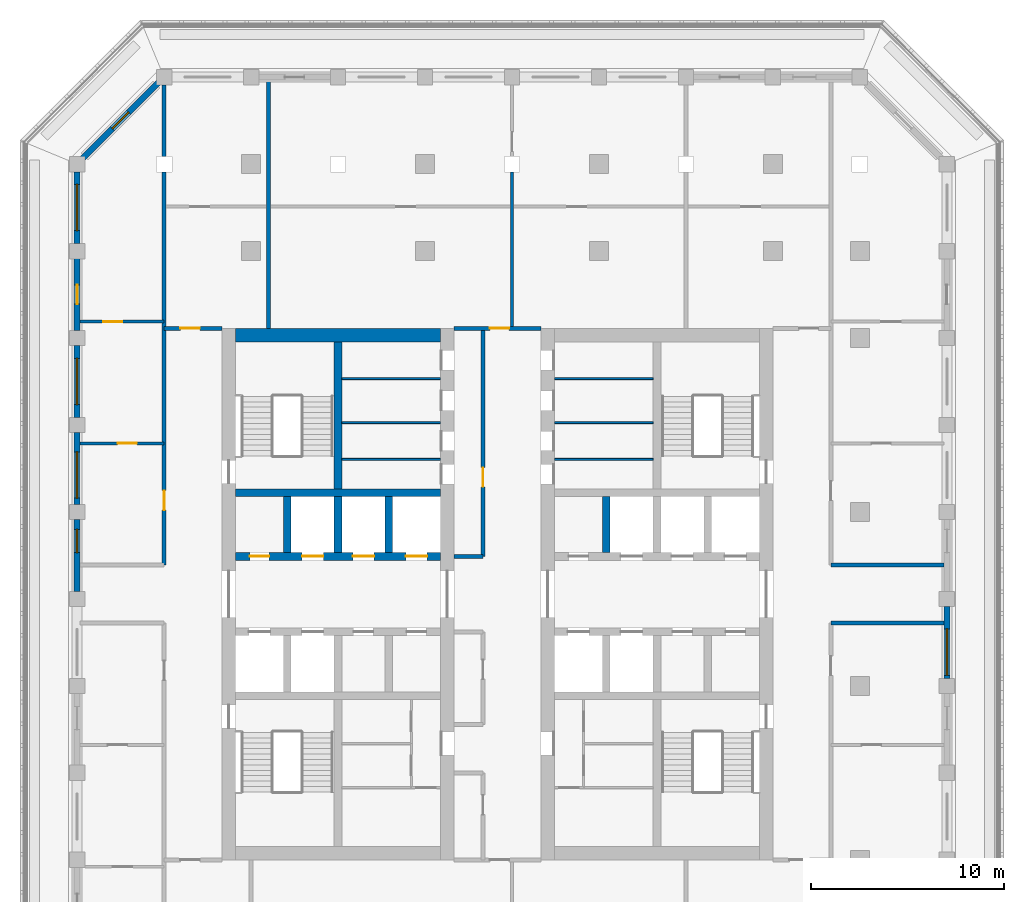
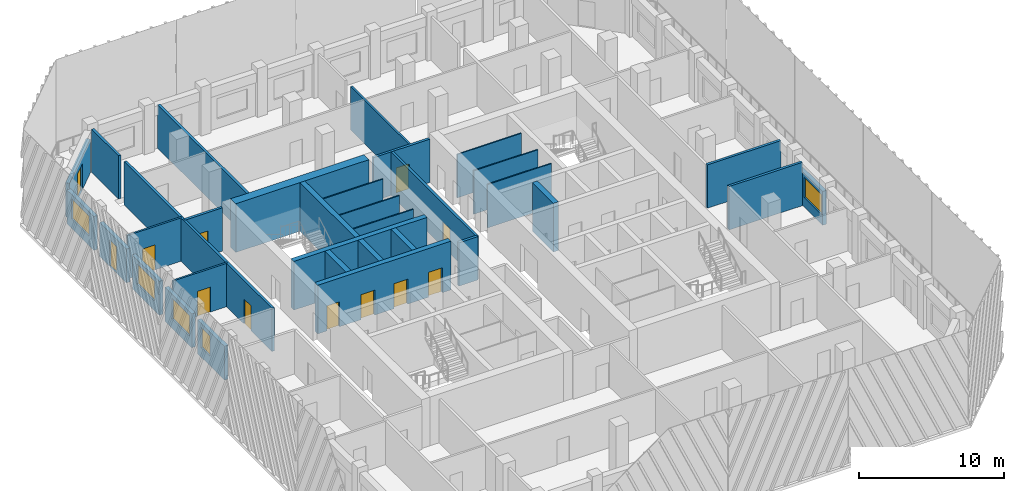
# One storey, part 6 of 17: 33 walls, 12 doors, 5 windows, 17 openings.
"""IFC4 building model written with IfcOpenShell, lengths in metres."""

from ifc_helpers import new_model, si_unit, direction, frame, frame_2d, origin, place, context, subcontext, project, spatial, rectangle, extrude, material, layer, layer_set, type_object, element, fill, save


model = new_model("IFC4")

# Units and contexts
model_context = context("Model", 3, precision=1e-05, world=origin(), true_north=direction((0.0, 1.0)))
body_context = subcontext(model_context, "Body", "Model", "MODEL_VIEW")
ifc_project = project(units=[si_unit("LENGTHUNIT", "METRE"), si_unit("AREAUNIT", "SQUARE_METRE"), si_unit("VOLUMEUNIT", "CUBIC_METRE"), si_unit("PLANEANGLEUNIT", "RADIAN"), si_unit("MASSUNIT", "GRAM", prefix="KILO")], contexts=[model_context])

# Site, building, storey
site_placement = place(None, origin())
site = spatial("IfcSite", under=ifc_project, at=site_placement, CompositionType="ELEMENT")
building_placement = place(site_placement, origin())
building = spatial("IfcBuilding", under=site, at=building_placement, Name="Corbel Stack Research Tower", CompositionType="ELEMENT")
storey_placement = place(building_placement, frame((0.0, 0.0, 231.60009765625)))
storey = spatial("IfcBuildingStorey", under=building, at=storey_placement, Name="L52", CompositionType="ELEMENT", Elevation=231.60009765625)

# Wall, openings, doors
ifc_material_1 = material(Name="Concrete C60/75", Category="concrete")
ifc_layer_1 = layer(ifc_material_1, 0.39990234375)
ifc_layer_set_1 = layer_set([ifc_layer_1], Name="Concrete C60/75")
wall_type_1 = type_object("IfcWallType", Name="CW-400-60", PredefinedType="SHEAR", material=ifc_layer_set_1)
wall_1_placement = place(storey_placement, frame((-9.800048828125, 6.699951171875, 0.0), z_axis=(0.0, 0.0, 1.0), x_axis=(1.0, 0.0, 0.0)))
wall_1 = element("IfcWall", 1, at=wall_1_placement, inside=storey, type_object=wall_type_1, Name="West core wall, lobby north L52", PredefinedType="SHEAR", context=body_context, shape_type="SweptSolid", body=[
    extrude(rectangle(XDim=10.60009765625, YDim=0.39990234375, at=frame_2d((5.300048828125, 0.0))), origin(), (0.0, 0.0, 1.0), 4.099853515625),
])
opening_1_placement = place(wall_1_placement, frame((3.4375, 0.0, 0.0)))
opening_1 = element("IfcOpeningElement", 2, at=opening_1_placement, cuts=wall_1, Name="Opening LD-HR1", PredefinedType="OPENING", context=body_context, shape_type="SweptSolid", body=[
    extrude(rectangle(XDim=1.10009765625, YDim=2.10009765625, at=frame_2d((0.550048828125, 1.050048828125))), frame((0.0, 0.2099609375, 0.0), z_axis=(0.0, -1.0, 0.0), x_axis=(1.0, 0.0, 0.0)), (0.0, 0.0, 1.0), 0.419921875),
])
opening_2_placement = place(wall_1_placement, frame((6.0625, 0.0, 0.0)))
opening_2 = element("IfcOpeningElement", 3, at=opening_2_placement, cuts=wall_1, Name="Opening LD-HR2", PredefinedType="OPENING", context=body_context, shape_type="SweptSolid", body=[
    extrude(rectangle(XDim=1.10009765625, YDim=2.10009765625, at=frame_2d((0.550048828125, 1.050048828125))), frame((0.0, 0.2099609375, 0.0), z_axis=(0.0, -1.0, 0.0), x_axis=(1.0, 0.0, 0.0)), (0.0, 0.0, 1.0), 0.419921875),
])
opening_3_placement = place(wall_1_placement, frame((8.8125, 0.0, 0.0)))
opening_3 = element("IfcOpeningElement", 4, at=opening_3_placement, cuts=wall_1, Name="Opening LD-HR3", PredefinedType="OPENING", context=body_context, shape_type="SweptSolid", body=[
    extrude(rectangle(XDim=1.10009765625, YDim=2.10009765625, at=frame_2d((0.550048828125, 1.050048828125))), frame((0.0, 0.2099609375, 0.0), z_axis=(0.0, -1.0, 0.0), x_axis=(1.0, 0.0, 0.0)), (0.0, 0.0, 1.0), 0.419921875),
])
opening_4_placement = place(wall_1_placement, frame((0.737548828125, 0.0, 0.0)))
opening_4 = element("IfcOpeningElement", 5, at=opening_4_placement, cuts=wall_1, Name="Opening CR-W66-N1", PredefinedType="OPENING", context=body_context, shape_type="SweptSolid", body=[
    extrude(rectangle(XDim=1.0, YDim=2.10009765625, at=frame_2d((0.5, 1.050048828125))), frame((0.0, 0.2099609375, 0.0), z_axis=(0.0, -1.0, 0.0), x_axis=(1.0, 0.0, 0.0)), (0.0, 0.0, 1.0), 0.419921875),
])
ifc_material_2 = material(Name="Stainless steel landing door", Category="steel")
door_type_1 = type_object("IfcDoorType", Name="Lift landing door 1100 x 2100", OperationType="DOUBLE_DOOR_SLIDING", PredefinedType="DOOR", material=ifc_material_2)
door_1_placement = place(opening_1_placement, origin())
door_1 = element("IfcDoor", 6, at=door_1_placement, inside=storey, type_object=door_type_1, Name="Landing door HR1", OperationType="DOUBLE_DOOR_SLIDING", OverallHeight=2.10009765625, OverallWidth=1.10009765625, PredefinedType="DOOR", context=body_context, shape_type="SweptSolid", body=[
    extrude(rectangle(XDim=1.10009765625, YDim=2.10009765625, at=frame_2d((0.550048828125, 1.050048828125))), frame((0.0, 0.02490234375, 0.0), z_axis=(0.0, -1.0, 0.0), x_axis=(1.0, 0.0, 0.0)), (0.0, 0.0, 1.0), 0.050048828125),
])
fill(opening_1, door_1)
door_2_placement = place(opening_2_placement, origin())
door_2 = element("IfcDoor", 7, at=door_2_placement, inside=storey, type_object=door_type_1, Name="Landing door HR2", OperationType="DOUBLE_DOOR_SLIDING", OverallHeight=2.10009765625, OverallWidth=1.10009765625, PredefinedType="DOOR", context=body_context, shape_type="SweptSolid", body=[
    extrude(rectangle(XDim=1.10009765625, YDim=2.10009765625, at=frame_2d((0.550048828125, 1.050048828125))), frame((0.0, 0.02490234375, 0.0), z_axis=(0.0, -1.0, 0.0), x_axis=(1.0, 0.0, 0.0)), (0.0, 0.0, 1.0), 0.050048828125),
])
fill(opening_2, door_2)
door_3_placement = place(opening_3_placement, origin())
door_3 = element("IfcDoor", 8, at=door_3_placement, inside=storey, type_object=door_type_1, Name="Landing door HR3", OperationType="DOUBLE_DOOR_SLIDING", OverallHeight=2.10009765625, OverallWidth=1.10009765625, PredefinedType="DOOR", context=body_context, shape_type="SweptSolid", body=[
    extrude(rectangle(XDim=1.10009765625, YDim=2.10009765625, at=frame_2d((0.550048828125, 1.050048828125))), frame((0.0, 0.02490234375, 0.0), z_axis=(0.0, -1.0, 0.0), x_axis=(1.0, 0.0, 0.0)), (0.0, 0.0, 1.0), 0.050048828125),
])
fill(opening_3, door_3)
ifc_material_3 = material(Name="Painted steel door", Category="steel")
door_type_2 = type_object("IfcDoorType", Name="Service door 1000 x 2100 FD60 left hand", OperationType="SINGLE_SWING_LEFT", PredefinedType="DOOR", material=ifc_material_3)
door_4_placement = place(opening_4_placement, origin())
door_4 = element("IfcDoor", 9, at=door_4_placement, inside=storey, type_object=door_type_2, Name="Mechanical room door W core", OperationType="SINGLE_SWING_LEFT", OverallHeight=2.10009765625, OverallWidth=1.0, PredefinedType="DOOR", context=body_context, shape_type="SweptSolid", body=[
    extrude(rectangle(XDim=1.0, YDim=2.10009765625, at=frame_2d((0.5, 1.050048828125))), frame((0.0, 0.02490234375, 0.0), z_axis=(0.0, -1.0, 0.0), x_axis=(1.0, 0.0, 0.0)), (0.0, 0.0, 1.0), 0.050048828125),
])
fill(opening_4, door_4)

# Walls
wall_2_placement = place(storey_placement, frame((-9.800048828125, 10.0, 0.0), z_axis=(0.0, 0.0, 1.0), x_axis=(1.0, 0.0, 0.0)))
element("IfcWall", 10, at=wall_2_placement, inside=storey, type_object=wall_type_1, Name="West core wall, north row back L52", PredefinedType="SHEAR", context=body_context, shape_type="SweptSolid", body=[
    extrude(rectangle(XDim=10.60009765625, YDim=0.39990234375, at=frame_2d((5.300048828125, 0.0))), origin(), (0.0, 0.0, 1.0), 4.099853515625),
])
for number, where, z_axis, x_axis, name in (
    (11, (-7.125, 6.89990234375, 0.0), (0.0, 0.0, 1.0), (0.0, 1.0, 0.0), "West core wall, north shaft 1 L52"),
    (12, (-4.5, 6.89990234375, 0.0), (0.0, 0.0, 1.0), (0.0, 1.0, 0.0), "West core wall, north shaft 2 L52"),
    (13, (-1.875, 6.89990234375, 0.0), (0.0, 0.0, 1.0), (0.0, 1.0, 0.0), "West core wall, north shaft 3 L52"),
):
    element("IfcWall", number, at=place(storey_placement, frame(where, z_axis=z_axis, x_axis=x_axis)), inside=storey, type_object=wall_type_1, Name=name, PredefinedType="SHEAR", context=body_context, shape_type="SweptSolid", body=[
        extrude(rectangle(XDim=2.900146484375, YDim=0.39990234375, at=frame_2d((1.4501953125, 0.0))), origin(), (0.0, 0.0, 1.0), 4.099853515625),
    ])
wall_3_placement = place(storey_placement, frame((-4.5, 10.199951171875, 0.0), z_axis=(0.0, 0.0, 1.0), x_axis=(0.0, 1.0, 0.0)))
element("IfcWall", 14, at=wall_3_placement, inside=storey, type_object=wall_type_1, Name="West core wall, north stair and riser L52", PredefinedType="SHEAR", context=body_context, shape_type="SweptSolid", body=[
    extrude(rectangle(XDim=7.60009765625, YDim=0.39990234375, at=frame_2d((3.800048828125, 0.0))), origin(), (0.0, 0.0, 1.0), 4.099853515625),
])
wall_4_placement = place(storey_placement, frame((9.375, 6.89990234375, 0.0), z_axis=(0.0, 0.0, 1.0), x_axis=(0.0, 1.0, 0.0)))
element("IfcWall", 15, at=wall_4_placement, inside=storey, type_object=wall_type_1, Name="East core wall, north shaft 1 L52", PredefinedType="SHEAR", context=body_context, shape_type="SweptSolid", body=[
    extrude(rectangle(XDim=2.900146484375, YDim=0.39990234375, at=frame_2d((1.4501953125, 0.0))), origin(), (0.0, 0.0, 1.0), 4.099853515625),
])
ifc_material_4 = material(Name="Concrete C60/75", Category="concrete")
ifc_layer_2 = layer(ifc_material_4, 0.699951171875)
ifc_layer_set_2 = layer_set([ifc_layer_2], Name="Concrete C60/75")
wall_type_2 = type_object("IfcWallType", Name="CW-700-60", PredefinedType="SHEAR", material=ifc_layer_set_2)
wall_5_placement = place(storey_placement, frame((-9.800048828125, 18.14990234375, 0.0), z_axis=(0.0, 0.0, 1.0), x_axis=(1.0, 0.0, 0.0)))
element("IfcWall", 16, at=wall_5_placement, inside=storey, type_object=wall_type_2, Name="West core wall, north end L52", PredefinedType="SHEAR", context=body_context, shape_type="SweptSolid", body=[
    extrude(rectangle(XDim=10.60009765625, YDim=0.699951171875, at=frame_2d((5.300048828125, 0.0))), origin(), (0.0, 0.0, 1.0), 4.099853515625),
])
ifc_material_5 = material(Name="Gypsum board")
ifc_layer_3 = layer(ifc_material_5, 0.10009765625)
ifc_layer_set_3 = layer_set([ifc_layer_3], Name="Gypsum board")
wall_type_3 = type_object("IfcWallType", Name="Core partition 100", PredefinedType="PARTITIONING", material=ifc_layer_set_3)
for number, where, z_axis, x_axis, name in (
    (17, (-4.300048828125, 11.719970703125, 0.0), (0.0, 0.0, 1.0), (1.0, 0.0, 0.0), "Core partition W"),
    (18, (-4.300048828125, 13.6201171875, 0.0), (0.0, 0.0, 1.0), (1.0, 0.0, 0.0), "Core partition W"),
    (19, (-4.300048828125, 15.89990234375, 0.0), (0.0, 0.0, 1.0), (1.0, 0.0, 0.0), "Core partition W"),
    (20, (6.699951171875, 11.719970703125, 0.0), (0.0, 0.0, 1.0), (1.0, 0.0, 0.0), "Core partition E"),
    (21, (6.699951171875, 13.6201171875, 0.0), (0.0, 0.0, 1.0), (1.0, 0.0, 0.0), "Core partition E"),
    (22, (6.699951171875, 15.89990234375, 0.0), (0.0, 0.0, 1.0), (1.0, 0.0, 0.0), "Core partition E"),
):
    element("IfcWall", number, at=place(storey_placement, frame(where, z_axis=z_axis, x_axis=x_axis)), inside=storey, type_object=wall_type_3, Name=name, PredefinedType="PARTITIONING", context=body_context, shape_type="SweptSolid", body=[
        extrude(rectangle(XDim=5.10009765625, YDim=0.10009765625, at=frame_2d((2.550048828125, 0.0))), origin(), (0.0, 0.0, 1.0), 3.64990234375),
    ])

# Wall, opening, door
ifc_material_6 = material(Name="Fire-rated gypsum board partition on steel studs", Category="steel")
ifc_layer_4 = layer(ifc_material_6, 0.199951171875)
ifc_layer_set_4 = layer_set([ifc_layer_4], Name="Fire-rated gypsum board partition on steel studs")
wall_type_4 = type_object("IfcWallType", Name="Fire-rated partition 200 EI 60", PredefinedType="PARTITIONING", material=ifc_layer_set_4)
wall_6_placement = place(storey_placement, frame((-13.5, 6.25, 0.0), z_axis=(0.0, 0.0, 1.0), x_axis=(0.0, 1.0, 0.0)))
wall_6 = element("IfcWall", 23, at=wall_6_placement, inside=storey, type_object=wall_type_4, Name="Partition L52-002", PredefinedType="PARTITIONING", context=body_context, shape_type="SweptSolid", body=[
    extrude(rectangle(XDim=20.35009765625, YDim=0.199951171875, at=frame_2d((10.175048828125, 0.0))), origin(), (0.0, 0.0, 1.0), 3.64990234375),
])
opening_5_placement = place(wall_6_placement, frame((2.85009765625, 0.0, 0.0)))
opening_5 = element("IfcOpeningElement", 24, at=opening_5_placement, cuts=wall_6, Name="Opening B7V0H-006", PredefinedType="OPENING", context=body_context, shape_type="SweptSolid", body=[
    extrude(rectangle(XDim=1.0, YDim=2.10009765625, at=frame_2d((0.5, 1.050048828125))), frame((0.0, 0.10986328125, 0.0), z_axis=(0.0, -1.0, 0.0), x_axis=(1.0, 0.0, 0.0)), (0.0, 0.0, 1.0), 0.219970703125),
])
ifc_material_7 = material(Name="Painted steel fire door", Category="steel")
door_type_3 = type_object("IfcDoorType", Name="Fire door FD30S 1000 x 2100", OperationType="NOTDEFINED", PredefinedType="DOOR", material=ifc_material_7)
door_5_placement = place(opening_5_placement, origin())
door_5 = element("IfcDoor", 25, at=door_5_placement, inside=storey, type_object=door_type_3, Name="Door B7V0H-006", OperationType="SINGLE_SWING_LEFT", OverallHeight=2.10009765625, OverallWidth=1.0, PredefinedType="DOOR", context=body_context, shape_type="SweptSolid", body=[
    extrude(rectangle(XDim=1.0, YDim=2.10009765625, at=frame_2d((0.5, 1.050048828125))), frame((0.0, 0.02490234375, 0.0), z_axis=(0.0, -1.0, 0.0), x_axis=(1.0, 0.0, 0.0)), (0.0, 0.0, 1.0), 0.050048828125),
])
fill(opening_5, door_5)

# Walls
wall_7_placement = place(storey_placement, frame((-13.5, 27.39990234375, 0.0), z_axis=(0.0, 0.0, 1.0), x_axis=(0.0, 1.0, 0.0)))
element("IfcWall", 26, at=wall_7_placement, inside=storey, type_object=wall_type_4, Name="Partition L52-003", PredefinedType="PARTITIONING", context=body_context, shape_type="SweptSolid", body=[
    extrude(rectangle(XDim=3.67724609375, YDim=0.199951171875, at=frame_2d((1.838623046875, 0.0))), origin(), (0.0, 0.0, 1.0), 3.64990234375),
])
wall_8_placement = place(storey_placement, frame((-8.10009765625, 18.5, 0.0), z_axis=(0.0, 0.0, 1.0), x_axis=(0.0, 1.0, 0.0)))
element("IfcWall", 27, at=wall_8_placement, inside=storey, type_object=wall_type_4, Name="Partition L52-006", PredefinedType="PARTITIONING", context=body_context, shape_type="SweptSolid", body=[
    extrude(rectangle(XDim=12.85009765625, YDim=0.199951171875, at=frame_2d((6.425048828125, 0.0))), origin(), (0.0, 0.0, 1.0), 3.64990234375),
])

# Wall, opening, door
wall_9_placement = place(storey_placement, frame((3.0, 6.699951171875, 0.0), z_axis=(0.0, 0.0, 1.0), x_axis=(0.0, 1.0, 0.0)))
wall_9 = element("IfcWall", 28, at=wall_9_placement, inside=storey, type_object=wall_type_4, Name="Partition L52-009", PredefinedType="PARTITIONING", context=body_context, shape_type="SweptSolid", body=[
    extrude(rectangle(XDim=11.800048828125, YDim=0.199951171875, at=frame_2d((5.89990234375, 0.0))), origin(), (0.0, 0.0, 1.0), 3.64990234375),
])
opening_6_placement = place(wall_9_placement, frame((3.60009765625, 0.0, 0.0)))
opening_6 = element("IfcOpeningElement", 29, at=opening_6_placement, cuts=wall_9, Name="Opening B7V0H-016", PredefinedType="OPENING", context=body_context, shape_type="SweptSolid", body=[
    extrude(rectangle(XDim=1.0, YDim=2.10009765625, at=frame_2d((0.5, 1.050048828125))), frame((0.0, 0.10986328125, 0.0), z_axis=(0.0, -1.0, 0.0), x_axis=(1.0, 0.0, 0.0)), (0.0, 0.0, 1.0), 0.219970703125),
])
door_6_placement = place(opening_6_placement, origin())
door_6 = element("IfcDoor", 30, at=door_6_placement, inside=storey, type_object=door_type_3, Name="Door B7V0H-016", OperationType="SINGLE_SWING_LEFT", OverallHeight=2.10009765625, OverallWidth=1.0, PredefinedType="DOOR", context=body_context, shape_type="SweptSolid", body=[
    extrude(rectangle(XDim=1.0, YDim=2.10009765625, at=frame_2d((0.5, 1.050048828125))), frame((0.0, 0.02490234375, 0.0), z_axis=(0.0, -1.0, 0.0), x_axis=(1.0, 0.0, 0.0)), (0.0, 0.0, 1.0), 0.050048828125),
])
fill(opening_6, door_6)

# Walls
for number, where, z_axis, x_axis, name in (
    (31, (21.0, 3.25, 0.0), (0.0, 0.0, 1.0), (1.0, 0.0, 0.0), "Partition L52-031"),
    (32, (21.0, 6.25, 0.0), (0.0, 0.0, 1.0), (1.0, 0.0, 0.0), "Partition L52-033"),
):
    element("IfcWall", number, at=place(storey_placement, frame(where, z_axis=z_axis, x_axis=x_axis)), inside=storey, type_object=wall_type_4, Name=name, PredefinedType="PARTITIONING", context=body_context, shape_type="SweptSolid", body=[
        extrude(rectangle(XDim=5.85009765625, YDim=0.199951171875, at=frame_2d((2.925048828125, 0.0))), origin(), (0.0, 0.0, 1.0), 3.64990234375),
    ])
wall_10_placement = place(storey_placement, frame((1.5, 6.699951171875, 0.0), z_axis=(0.0, 0.0, 1.0), x_axis=(1.0, 0.0, 0.0)))
element("IfcWall", 33, at=wall_10_placement, inside=storey, type_object=wall_type_4, Name="Partition L52-034", PredefinedType="PARTITIONING", context=body_context, shape_type="SweptSolid", body=[
    extrude(rectangle(XDim=1.5, YDim=0.199951171875, at=frame_2d((0.75, 0.0))), origin(), (0.0, 0.0, 1.0), 3.64990234375),
])

# Wall, opening, door
wall_11_placement = place(storey_placement, frame((-13.5, 18.5, 0.0), z_axis=(0.0, 0.0, 1.0), x_axis=(1.0, 0.0, 0.0)))
wall_11 = element("IfcWall", 34, at=wall_11_placement, inside=storey, type_object=wall_type_4, Name="Partition L52-037", PredefinedType="PARTITIONING", context=body_context, shape_type="SweptSolid", body=[
    extrude(rectangle(XDim=3.0, YDim=0.199951171875, at=frame_2d((1.5, 0.0))), origin(), (0.0, 0.0, 1.0), 3.64990234375),
])
opening_7_placement = place(wall_11_placement, frame((0.85009765625, 0.0, 0.0)))
opening_7 = element("IfcOpeningElement", 35, at=opening_7_placement, cuts=wall_11, Name="Opening B7V0H-021", PredefinedType="OPENING", context=body_context, shape_type="SweptSolid", body=[
    extrude(rectangle(XDim=1.0, YDim=2.10009765625, at=frame_2d((0.5, 1.050048828125))), frame((0.0, 0.10986328125, 0.0), z_axis=(0.0, -1.0, 0.0), x_axis=(1.0, 0.0, 0.0)), (0.0, 0.0, 1.0), 0.219970703125),
])
door_7_placement = place(opening_7_placement, origin())
door_7 = element("IfcDoor", 36, at=door_7_placement, inside=storey, type_object=door_type_3, Name="Door B7V0H-021", OperationType="SINGLE_SWING_LEFT", OverallHeight=2.10009765625, OverallWidth=1.0, PredefinedType="DOOR", context=body_context, shape_type="SweptSolid", body=[
    extrude(rectangle(XDim=1.0, YDim=2.10009765625, at=frame_2d((0.5, 1.050048828125))), frame((0.0, 0.02490234375, 0.0), z_axis=(0.0, -1.0, 0.0), x_axis=(1.0, 0.0, 0.0)), (0.0, 0.0, 1.0), 0.050048828125),
])
fill(opening_7, door_7)

wall_12_placement = place(storey_placement, frame((1.5, 18.5, 0.0), z_axis=(0.0, 0.0, 1.0), x_axis=(1.0, 0.0, 0.0)))
wall_12 = element("IfcWall", 37, at=wall_12_placement, inside=storey, type_object=wall_type_4, Name="Partition L52-038", PredefinedType="PARTITIONING", context=body_context, shape_type="SweptSolid", body=[
    extrude(rectangle(XDim=4.5, YDim=0.199951171875, at=frame_2d((2.25, 0.0))), origin(), (0.0, 0.0, 1.0), 3.64990234375),
])
opening_8_placement = place(wall_12_placement, frame((1.85009765625, 0.0, 0.0)))
opening_8 = element("IfcOpeningElement", 38, at=opening_8_placement, cuts=wall_12, Name="Opening B7V0H-022", PredefinedType="OPENING", context=body_context, shape_type="SweptSolid", body=[
    extrude(rectangle(XDim=1.0, YDim=2.10009765625, at=frame_2d((0.5, 1.050048828125))), frame((0.0, 0.10986328125, 0.0), z_axis=(0.0, -1.0, 0.0), x_axis=(1.0, 0.0, 0.0)), (0.0, 0.0, 1.0), 0.219970703125),
])
door_8_placement = place(opening_8_placement, origin())
door_8 = element("IfcDoor", 39, at=door_8_placement, inside=storey, type_object=door_type_3, Name="Door B7V0H-022", OperationType="SINGLE_SWING_RIGHT", OverallHeight=2.10009765625, OverallWidth=1.0, PredefinedType="DOOR", context=body_context, shape_type="SweptSolid", body=[
    extrude(rectangle(XDim=1.0, YDim=2.10009765625, at=frame_2d((0.5, 1.050048828125))), frame((0.0, 0.02490234375, 0.0), z_axis=(0.0, -1.0, 0.0), x_axis=(1.0, 0.0, 0.0)), (0.0, 0.0, 1.0), 0.050048828125),
])
fill(opening_8, door_8)

# Wall
ifc_material_8 = material(Name="Gypsum board partition on steel studs", Category="steel")
ifc_layer_5 = layer(ifc_material_8, 0.14990234375)
ifc_layer_set_5 = layer_set([ifc_layer_5], Name="Gypsum board partition on steel studs")
wall_type_5 = type_object("IfcWallType", Name="Partition 150", PredefinedType="PARTITIONING", material=ifc_layer_set_5)
wall_13_placement = place(storey_placement, frame((4.5, 18.5, 0.0), z_axis=(0.0, 0.0, 1.0), x_axis=(0.0, 1.0, 0.0)))
element("IfcWall", 40, at=wall_13_placement, inside=storey, type_object=wall_type_5, Name="Partition L52-011", PredefinedType="PARTITIONING", context=body_context, shape_type="SweptSolid", body=[
    extrude(rectangle(XDim=8.10009765625, YDim=0.14990234375, at=frame_2d((4.050048828125, 0.0))), origin(), (0.0, 0.0, 1.0), 3.64990234375),
])

# Wall, opening, door
wall_14_placement = place(storey_placement, frame((-17.85009765625, 12.550048828125, 0.0), z_axis=(0.0, 0.0, 1.0), x_axis=(1.0, 0.0, 0.0)))
wall_14 = element("IfcWall", 41, at=wall_14_placement, inside=storey, type_object=wall_type_5, Name="Partition L52-035", PredefinedType="PARTITIONING", context=body_context, shape_type="SweptSolid", body=[
    extrude(rectangle(XDim=4.35009765625, YDim=0.14990234375, at=frame_2d((2.175048828125, 0.0))), origin(), (0.0, 0.0, 1.0), 3.64990234375),
])
opening_9_placement = place(wall_14_placement, frame((1.949951171875, 0.0, 0.0)))
opening_9 = element("IfcOpeningElement", 42, at=opening_9_placement, cuts=wall_14, Name="Opening B7V0H-019", PredefinedType="OPENING", context=body_context, shape_type="SweptSolid", body=[
    extrude(rectangle(XDim=1.0, YDim=2.10009765625, at=frame_2d((0.5, 1.050048828125))), frame((0.0, 0.0849609375, 0.0), z_axis=(0.0, -1.0, 0.0), x_axis=(1.0, 0.0, 0.0)), (0.0, 0.0, 1.0), 0.169921875),
])
ifc_material_9 = material(Name="Painted timber door", Category="wood")
door_type_4 = type_object("IfcDoorType", Name="Single door 1000 x 2100", OperationType="NOTDEFINED", PredefinedType="DOOR", material=ifc_material_9)
door_9_placement = place(opening_9_placement, origin())
door_9 = element("IfcDoor", 43, at=door_9_placement, inside=storey, type_object=door_type_4, Name="Door B7V0H-019", OperationType="SINGLE_SWING_RIGHT", OverallHeight=2.10009765625, OverallWidth=1.0, PredefinedType="DOOR", context=body_context, shape_type="SweptSolid", body=[
    extrude(rectangle(XDim=1.0, YDim=2.10009765625, at=frame_2d((0.5, 1.050048828125))), frame((0.0, 0.02490234375, 0.0), z_axis=(0.0, -1.0, 0.0), x_axis=(1.0, 0.0, 0.0)), (0.0, 0.0, 1.0), 0.050048828125),
])
fill(opening_9, door_9)

wall_15_placement = place(storey_placement, frame((-17.85009765625, 18.85009765625, 0.0), z_axis=(0.0, 0.0, 1.0), x_axis=(1.0, 0.0, 0.0)))
wall_15 = element("IfcWall", 44, at=wall_15_placement, inside=storey, type_object=wall_type_5, Name="Partition L52-040", PredefinedType="PARTITIONING", context=body_context, shape_type="SweptSolid", body=[
    extrude(rectangle(XDim=4.35009765625, YDim=0.14990234375, at=frame_2d((2.175048828125, 0.0))), origin(), (0.0, 0.0, 1.0), 3.64990234375),
])
opening_10_placement = place(wall_15_placement, frame((1.199951171875, 0.0, 0.0)))
opening_10 = element("IfcOpeningElement", 45, at=opening_10_placement, cuts=wall_15, Name="Opening B7V0H-024", PredefinedType="OPENING", context=body_context, shape_type="SweptSolid", body=[
    extrude(rectangle(XDim=1.0, YDim=2.10009765625, at=frame_2d((0.5, 1.050048828125))), frame((0.0, 0.0849609375, 0.0), z_axis=(0.0, -1.0, 0.0), x_axis=(1.0, 0.0, 0.0)), (0.0, 0.0, 1.0), 0.169921875),
])
door_10_placement = place(opening_10_placement, origin())
door_10 = element("IfcDoor", 46, at=door_10_placement, inside=storey, type_object=door_type_4, Name="Door B7V0H-024", OperationType="SINGLE_SWING_LEFT", OverallHeight=2.10009765625, OverallWidth=1.0, PredefinedType="DOOR", context=body_context, shape_type="SweptSolid", body=[
    extrude(rectangle(XDim=1.0, YDim=2.10009765625, at=frame_2d((0.5, 1.050048828125))), frame((0.0, 0.02490234375, 0.0), z_axis=(0.0, -1.0, 0.0), x_axis=(1.0, 0.0, 0.0)), (0.0, 0.0, 1.0), 0.050048828125),
])
fill(opening_10, door_10)

# Wall, opening, window
ifc_material_10 = material(Name="Concrete C45/55", Category="concrete")
ifc_layer_6 = layer(ifc_material_10, 0.300048828125)
ifc_layer_set_6 = layer_set([ifc_layer_6], Name="Concrete C45/55")
wall_type_6 = type_object("IfcWallType", Name="Terracotta-faced concrete wall 300", PredefinedType="SOLIDWALL", material=ifc_layer_set_6)
wall_16_placement = place(storey_placement, frame((27.0, 4.10009765625, 0.0), z_axis=(0.0, 0.0, 1.0), x_axis=(0.0, -1.0, 0.0)))
wall_16 = element("IfcWall", 47, at=wall_16_placement, inside=storey, type_object=wall_type_6, Name="Facade wall L52 E05", PredefinedType="SOLIDWALL", context=body_context, shape_type="SweptSolid", body=[
    extrude(rectangle(XDim=3.7001953125, YDim=0.300048828125, at=frame_2d((1.85009765625, 0.0))), origin(), (0.0, 0.0, 1.0), 2.849853515625),
])
opening_11_placement = place(wall_16_placement, frame((1.14990234375, 0.0, 0.800048828125)))
opening_11 = element("IfcOpeningElement", 48, at=opening_11_placement, cuts=wall_16, Name="Opening W1", PredefinedType="OPENING", context=body_context, shape_type="SweptSolid", body=[
    extrude(rectangle(XDim=2.39990234375, YDim=1.699951171875, at=frame_2d((1.199951171875, 0.85009765625))), frame((0.0, 0.159912109375, 0.0), z_axis=(0.0, -1.0, 0.0), x_axis=(1.0, 0.0, 0.0)), (0.0, 0.0, 1.0), 0.320068359375),
])
ifc_material_11 = material(Name="Aluminium frame, clear double glazing", Category="aluminium")
window_type_1 = type_object("IfcWindowType", Name="Window W1 2400 x 1700", PartitioningType="SINGLE_PANEL", PredefinedType="WINDOW", material=ifc_material_11)
window_1_placement = place(opening_11_placement, origin())
window_1 = element("IfcWindow", 49, at=window_1_placement, inside=storey, type_object=window_type_1, Name="Window W1 L52 E05", OverallHeight=1.699951171875, OverallWidth=2.39990234375, PartitioningType="SINGLE_PANEL", PredefinedType="WINDOW", context=body_context, shape_type="SweptSolid", body=[
    extrude(rectangle(XDim=2.39990234375, YDim=1.699951171875, at=frame_2d((1.199951171875, 0.85009765625))), frame((0.0, 0.030029296875, 0.0), z_axis=(0.0, -1.0, 0.0), x_axis=(1.0, 0.0, 0.0)), (0.0, 0.0, 1.0), 0.06005859375),
])
fill(opening_11, window_1)

# Wall, opening, door
wall_17_placement = place(storey_placement, frame((-17.7060546875, 27.2939453125, 0.0), z_axis=(0.0, 0.0, 1.0), x_axis=(0.707106781187, 0.707106781187, 0.0)))
wall_17 = element("IfcWall", 50, at=wall_17_placement, inside=storey, type_object=wall_type_6, Name="Facade wall L52 NW01", PredefinedType="SOLIDWALL", context=body_context, shape_type="SweptSolid", body=[
    extrude(rectangle(XDim=5.532470703125, YDim=0.300048828125, at=frame_2d((2.76611328125, 0.0))), origin(), (0.0, 0.0, 1.0), 2.849853515625),
])
opening_12_placement = place(wall_17_placement, frame((2.166259765625, 0.0, 0.0)))
opening_12 = element("IfcOpeningElement", 51, at=opening_12_placement, cuts=wall_17, Name="Opening L52-B09", PredefinedType="OPENING", context=body_context, shape_type="SweptSolid", body=[
    extrude(rectangle(XDim=1.199951171875, YDim=2.199951171875, at=frame_2d((0.60009765625, 1.10009765625))), frame((0.0, 0.159912109375, 0.0), z_axis=(0.0, -1.0, 0.0), x_axis=(1.0, 0.0, 0.0)), (0.0, 0.0, 1.0), 0.320068359375),
])
ifc_material_12 = material(Name="Aluminium frame, clear double glazing", Category="aluminium")
door_type_5 = type_object("IfcDoorType", Name="Balcony door BD2 1200 x 2200", OperationType="NOTDEFINED", PredefinedType="DOOR", material=ifc_material_12)
door_11_placement = place(opening_12_placement, origin())
door_11 = element("IfcDoor", 52, at=door_11_placement, inside=storey, type_object=door_type_5, Name="Balcony door L52-B09", OperationType="SINGLE_SWING_LEFT", OverallHeight=2.199951171875, OverallWidth=1.199951171875, PredefinedType="DOOR", context=body_context, shape_type="SweptSolid", body=[
    extrude(rectangle(XDim=1.199951171875, YDim=2.199951171875, at=frame_2d((0.60009765625, 1.10009765625))), frame((0.0, 0.02490234375, 0.0), z_axis=(0.0, -1.0, 0.0), x_axis=(1.0, 0.0, 0.0)), (0.0, 0.0, 1.0), 0.050048828125),
])
fill(opening_12, door_11)

# Wall, opening, window
wall_18_placement = place(storey_placement, frame((-18.0, 22.89990234375, 0.0), z_axis=(0.0, 0.0, 1.0), x_axis=(0.0, 1.0, 0.0)))
wall_18 = element("IfcWall", 53, at=wall_18_placement, inside=storey, type_object=wall_type_6, Name="Facade wall L52 W01", PredefinedType="SOLIDWALL", context=body_context, shape_type="SweptSolid", body=[
    extrude(rectangle(XDim=3.7001953125, YDim=0.300048828125, at=frame_2d((1.85009765625, 0.0))), origin(), (0.0, 0.0, 1.0), 2.849853515625),
])
opening_13_placement = place(wall_18_placement, frame((0.64990234375, 0.0, 0.800048828125)))
opening_13 = element("IfcOpeningElement", 54, at=opening_13_placement, cuts=wall_18, Name="Opening W1", PredefinedType="OPENING", context=body_context, shape_type="SweptSolid", body=[
    extrude(rectangle(XDim=2.39990234375, YDim=1.699951171875, at=frame_2d((1.199951171875, 0.85009765625))), frame((0.0, 0.159912109375, 0.0), z_axis=(0.0, -1.0, 0.0), x_axis=(1.0, 0.0, 0.0)), (0.0, 0.0, 1.0), 0.320068359375),
])
window_2_placement = place(opening_13_placement, origin())
window_2 = element("IfcWindow", 55, at=window_2_placement, inside=storey, type_object=window_type_1, Name="Window W1 L52 W01", OverallHeight=1.699951171875, OverallWidth=2.39990234375, PartitioningType="SINGLE_PANEL", PredefinedType="WINDOW", context=body_context, shape_type="SweptSolid", body=[
    extrude(rectangle(XDim=2.39990234375, YDim=1.699951171875, at=frame_2d((1.199951171875, 0.85009765625))), frame((0.0, 0.030029296875, 0.0), z_axis=(0.0, -1.0, 0.0), x_axis=(1.0, 0.0, 0.0)), (0.0, 0.0, 1.0), 0.06005859375),
])
fill(opening_13, window_2)

# Wall, opening, door
wall_19_placement = place(storey_placement, frame((-18.0, 18.39990234375, 0.0), z_axis=(0.0, 0.0, 1.0), x_axis=(0.0, 1.0, 0.0)))
wall_19 = element("IfcWall", 56, at=wall_19_placement, inside=storey, type_object=wall_type_6, Name="Facade wall L52 W02", PredefinedType="SOLIDWALL", context=body_context, shape_type="SweptSolid", body=[
    extrude(rectangle(XDim=3.7001953125, YDim=0.300048828125, at=frame_2d((1.85009765625, 0.0))), origin(), (0.0, 0.0, 1.0), 2.849853515625),
])
opening_14_placement = place(wall_19_placement, frame((1.35009765625, 0.0, 0.0)))
opening_14 = element("IfcOpeningElement", 57, at=opening_14_placement, cuts=wall_19, Name="Opening L52-B10", PredefinedType="OPENING", context=body_context, shape_type="SweptSolid", body=[
    extrude(rectangle(XDim=1.0, YDim=2.199951171875, at=frame_2d((0.5, 1.10009765625))), frame((0.0, 0.159912109375, 0.0), z_axis=(0.0, -1.0, 0.0), x_axis=(1.0, 0.0, 0.0)), (0.0, 0.0, 1.0), 0.320068359375),
])
ifc_material_13 = material(Name="Aluminium frame, clear double glazing", Category="aluminium")
door_type_6 = type_object("IfcDoorType", Name="Balcony door BD1 1000 x 2200", OperationType="NOTDEFINED", PredefinedType="DOOR", material=ifc_material_13)
door_12_placement = place(opening_14_placement, origin())
door_12 = element("IfcDoor", 58, at=door_12_placement, inside=storey, type_object=door_type_6, Name="Balcony door L52-B10", OperationType="SINGLE_SWING_RIGHT", OverallHeight=2.199951171875, OverallWidth=1.0, PredefinedType="DOOR", context=body_context, shape_type="SweptSolid", body=[
    extrude(rectangle(XDim=1.0, YDim=2.199951171875, at=frame_2d((0.5, 1.10009765625))), frame((0.0, 0.02490234375, 0.0), z_axis=(0.0, -1.0, 0.0), x_axis=(1.0, 0.0, 0.0)), (0.0, 0.0, 1.0), 0.050048828125),
])
fill(opening_14, door_12)

# Wall, opening, window
wall_20_placement = place(storey_placement, frame((-18.0, 13.89990234375, 0.0), z_axis=(0.0, 0.0, 1.0), x_axis=(0.0, 1.0, 0.0)))
wall_20 = element("IfcWall", 59, at=wall_20_placement, inside=storey, type_object=wall_type_6, Name="Facade wall L52 W03", PredefinedType="SOLIDWALL", context=body_context, shape_type="SweptSolid", body=[
    extrude(rectangle(XDim=3.7001953125, YDim=0.300048828125, at=frame_2d((1.85009765625, 0.0))), origin(), (0.0, 0.0, 1.0), 2.849853515625),
])
opening_15_placement = place(wall_20_placement, frame((0.64990234375, 0.0, 0.800048828125)))
opening_15 = element("IfcOpeningElement", 60, at=opening_15_placement, cuts=wall_20, Name="Opening W1", PredefinedType="OPENING", context=body_context, shape_type="SweptSolid", body=[
    extrude(rectangle(XDim=2.39990234375, YDim=1.699951171875, at=frame_2d((1.199951171875, 0.85009765625))), frame((0.0, 0.159912109375, 0.0), z_axis=(0.0, -1.0, 0.0), x_axis=(1.0, 0.0, 0.0)), (0.0, 0.0, 1.0), 0.320068359375),
])
window_3_placement = place(opening_15_placement, origin())
window_3 = element("IfcWindow", 61, at=window_3_placement, inside=storey, type_object=window_type_1, Name="Window W1 L52 W03", OverallHeight=1.699951171875, OverallWidth=2.39990234375, PartitioningType="SINGLE_PANEL", PredefinedType="WINDOW", context=body_context, shape_type="SweptSolid", body=[
    extrude(rectangle(XDim=2.39990234375, YDim=1.699951171875, at=frame_2d((1.199951171875, 0.85009765625))), frame((0.0, 0.030029296875, 0.0), z_axis=(0.0, -1.0, 0.0), x_axis=(1.0, 0.0, 0.0)), (0.0, 0.0, 1.0), 0.06005859375),
])
fill(opening_15, window_3)

wall_21_placement = place(storey_placement, frame((-18.0, 9.39990234375, 0.0), z_axis=(0.0, 0.0, 1.0), x_axis=(0.0, 1.0, 0.0)))
wall_21 = element("IfcWall", 62, at=wall_21_placement, inside=storey, type_object=wall_type_6, Name="Facade wall L52 W04", PredefinedType="SOLIDWALL", context=body_context, shape_type="SweptSolid", body=[
    extrude(rectangle(XDim=3.7001953125, YDim=0.300048828125, at=frame_2d((1.85009765625, 0.0))), origin(), (0.0, 0.0, 1.0), 2.849853515625),
])
opening_16_placement = place(wall_21_placement, frame((0.3125, 0.0, 0.800048828125)))
opening_16 = element("IfcOpeningElement", 63, at=opening_16_placement, cuts=wall_21, Name="Opening W1", PredefinedType="OPENING", context=body_context, shape_type="SweptSolid", body=[
    extrude(rectangle(XDim=2.39990234375, YDim=1.699951171875, at=frame_2d((1.199951171875, 0.85009765625))), frame((0.0, 0.159912109375, 0.0), z_axis=(0.0, -1.0, 0.0), x_axis=(1.0, 0.0, 0.0)), (0.0, 0.0, 1.0), 0.320068359375),
])
window_4_placement = place(opening_16_placement, origin())
window_4 = element("IfcWindow", 64, at=window_4_placement, inside=storey, type_object=window_type_1, Name="Window W1 L52 W04", OverallHeight=1.699951171875, OverallWidth=2.39990234375, PartitioningType="SINGLE_PANEL", PredefinedType="WINDOW", context=body_context, shape_type="SweptSolid", body=[
    extrude(rectangle(XDim=2.39990234375, YDim=1.699951171875, at=frame_2d((1.199951171875, 0.85009765625))), frame((0.0, 0.030029296875, 0.0), z_axis=(0.0, -1.0, 0.0), x_axis=(1.0, 0.0, 0.0)), (0.0, 0.0, 1.0), 0.06005859375),
])
fill(opening_16, window_4)

wall_22_placement = place(storey_placement, frame((-18.0, 4.89990234375, 0.0), z_axis=(0.0, 0.0, 1.0), x_axis=(0.0, 1.0, 0.0)))
wall_22 = element("IfcWall", 65, at=wall_22_placement, inside=storey, type_object=wall_type_6, Name="Facade wall L52 W05", PredefinedType="SOLIDWALL", context=body_context, shape_type="SweptSolid", body=[
    extrude(rectangle(XDim=3.7001953125, YDim=0.300048828125, at=frame_2d((1.85009765625, 0.0))), origin(), (0.0, 0.0, 1.0), 2.849853515625),
])
opening_17_placement = place(wall_22_placement, frame((2.0, 0.0, 0.800048828125)))
opening_17 = element("IfcOpeningElement", 66, at=opening_17_placement, cuts=wall_22, Name="Opening W2", PredefinedType="OPENING", context=body_context, shape_type="SweptSolid", body=[
    extrude(rectangle(XDim=1.199951171875, YDim=1.699951171875, at=frame_2d((0.60009765625, 0.85009765625))), frame((0.0, 0.159912109375, 0.0), z_axis=(0.0, -1.0, 0.0), x_axis=(1.0, 0.0, 0.0)), (0.0, 0.0, 1.0), 0.320068359375),
])
ifc_material_14 = material(Name="Aluminium frame, clear double glazing", Category="aluminium")
window_type_2 = type_object("IfcWindowType", Name="Window W2 1200 x 1700", PartitioningType="SINGLE_PANEL", PredefinedType="WINDOW", material=ifc_material_14)
window_5_placement = place(opening_17_placement, origin())
window_5 = element("IfcWindow", 67, at=window_5_placement, inside=storey, type_object=window_type_2, Name="Window W2 L52 W05", OverallHeight=1.699951171875, OverallWidth=1.199951171875, PartitioningType="SINGLE_PANEL", PredefinedType="WINDOW", context=body_context, shape_type="SweptSolid", body=[
    extrude(rectangle(XDim=1.199951171875, YDim=1.699951171875, at=frame_2d((0.60009765625, 0.85009765625))), frame((0.0, 0.030029296875, 0.0), z_axis=(0.0, -1.0, 0.0), x_axis=(1.0, 0.0, 0.0)), (0.0, 0.0, 1.0), 0.06005859375),
])
fill(opening_17, window_5)

save(model, "model.ifc")
